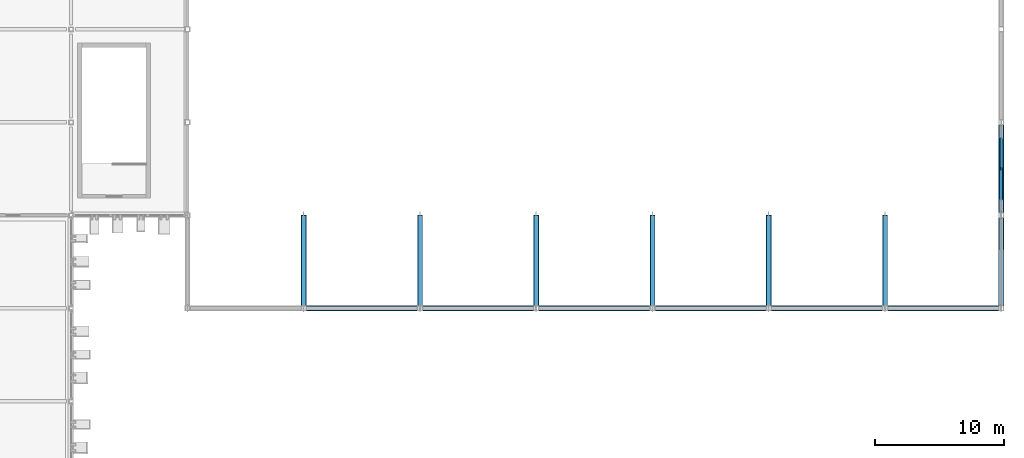
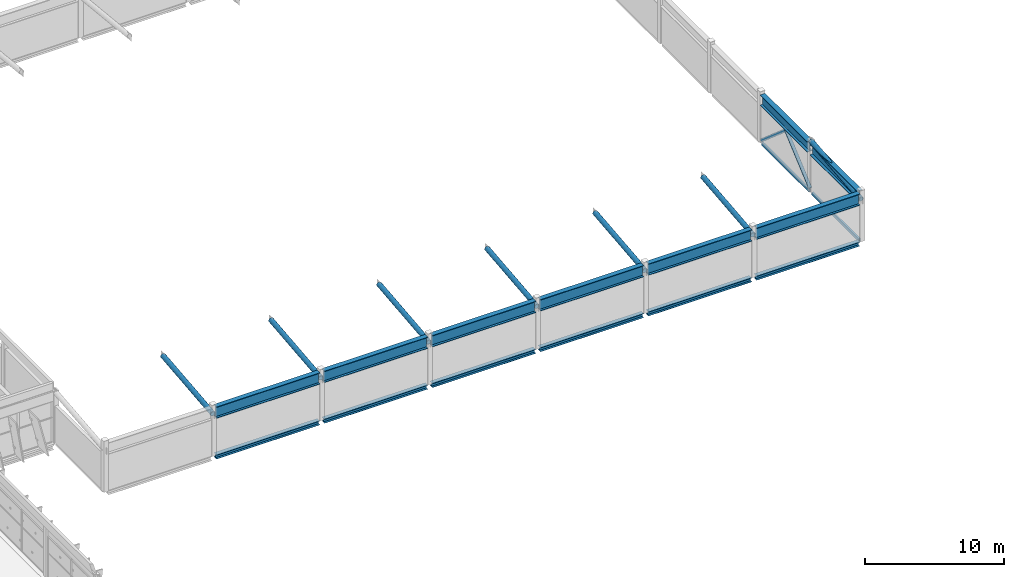
# One storey, part 60 of 124: 16 beams, 9 members.
"""IFC4 building model written with IfcOpenShell, lengths in metres."""

from ifc_helpers import new_model, si_unit, direction, frame, origin, origin_2d, place, context, subcontext, project, spatial, hollow_rectangle, hollow_circle, i_section, extrude, material, material_profile, profile_set, type_object, element, save


model = new_model("IFC4")

# Units and contexts
model_context = context("Model", 3, precision=1e-05, world=origin(), true_north=direction((0.0, 1.0)))
body_context = subcontext(model_context, "Body", "Model", "MODEL_VIEW")
ifc_project = project(units=[si_unit("LENGTHUNIT", "METRE"), si_unit("AREAUNIT", "SQUARE_METRE"), si_unit("VOLUMEUNIT", "CUBIC_METRE"), si_unit("PLANEANGLEUNIT", "RADIAN"), si_unit("MASSUNIT", "GRAM", prefix="KILO")], contexts=[model_context])

# Site, building, storey
site_placement = place(None, origin())
site = spatial("IfcSite", under=ifc_project, at=site_placement, CompositionType="ELEMENT")
building_placement = place(site_placement, origin())
building = spatial("IfcBuilding", under=site, at=building_placement, Name="Celestram Park Convention Centre", CompositionType="ELEMENT")
storey_placement = place(building_placement, frame((0.0, 0.0, 15.300048828125)))
storey = spatial("IfcBuildingStorey", under=building, at=storey_placement, Name="L03", CompositionType="ELEMENT", Elevation=15.300048828125)

# Beams
ifc_material_1 = material(Name="Steel ASTM A992 Grade 50", Category="steel")
ifc_material_profile_1 = material_profile(ifc_material_1, i_section(OverallWidth=0.424072265625, OverallDepth=0.931884765625, WebThickness=0.02392578125, FlangeThickness=0.042724609375, at=origin_2d()), Name="W36X302")
ifc_profile_set_1 = profile_set([ifc_material_profile_1], Name="Steel ASTM A992 Grade 50")
beam_type_1 = type_object("IfcBeamType", Name="STR-BM-W36X302", PredefinedType="BEAM", material=ifc_profile_set_1)
beam_1_placement = place(storey_placement, frame((216.0, 115.39794921875, 3.783935546875), z_axis=(0.0, 1.0, 0.0), x_axis=(-1.0, 0.0, 0.0)))
element("IfcBeam", 1, at=beam_1_placement, inside=storey, type_object=beam_type_1, Name="Plenary gable tie girder BG-L03-0280", PredefinedType="BEAM", context=body_context, shape_type="SweptSolid", body=[
    extrude(i_section(OverallWidth=0.424072265625, OverallDepth=0.931884765625, WebThickness=0.02392578125, FlangeThickness=0.042724609375, at=origin_2d()), origin(), (0.0, 0.0, 1.0), 6.803955078125),
])
beam_2_placement = place(storey_placement, frame((216.0, 122.597900390625, 3.783935546875), z_axis=(0.0, 1.0, 0.0), x_axis=(-1.0, 0.0, 0.0)))
element("IfcBeam", 2, at=beam_2_placement, inside=storey, type_object=beam_type_1, Name="Plenary gable tie girder BG-L03-0281", PredefinedType="BEAM", context=body_context, shape_type="SweptSolid", body=[
    extrude(i_section(OverallWidth=0.424072265625, OverallDepth=0.931884765625, WebThickness=0.02392578125, FlangeThickness=0.042724609375, at=origin_2d()), origin(), (0.0, 0.0, 1.0), 6.80419921875),
])
ifc_material_profile_2 = material_profile(ifc_material_1, i_section(OverallWidth=0.40087890625, OverallDepth=1.010986328125, WebThickness=0.023681640625, FlangeThickness=0.0419921875, at=origin_2d()), Name="W40X297")
ifc_profile_set_2 = profile_set([ifc_material_profile_2], Name="Steel ASTM A992 Grade 50")
beam_type_2 = type_object("IfcBeamType", Name="STR-BM-W40X297", PredefinedType="BEAM", material=ifc_profile_set_2)
for number, where, z_axis, x_axis, name in (
    (3, (162.197998046875, 115.199951171875, 3.744384765625), (1.0, 0.0, 0.0), (0.0, 1.0, 0.0), "Plenary eaves tie girder BG-L03-0267"),
    (4, (171.197998046875, 115.199951171875, 3.744384765625), (1.0, 0.0, 0.0), (0.0, 1.0, 0.0), "Plenary eaves tie girder BG-L03-0268"),
    (5, (180.197998046875, 115.199951171875, 3.744384765625), (1.0, 0.0, 0.0), (0.0, 1.0, 0.0), "Plenary eaves tie girder BG-L03-0269"),
    (6, (189.197998046875, 115.199951171875, 3.744384765625), (1.0, 0.0, 0.0), (0.0, 1.0, 0.0), "Plenary eaves tie girder BG-L03-0270"),
    (7, (198.197998046875, 115.199951171875, 3.744384765625), (1.0, 0.0, 0.0), (0.0, 1.0, 0.0), "Plenary eaves tie girder BG-L03-0271"),
    (8, (207.197998046875, 115.199951171875, 3.744384765625), (1.0, 0.0, 0.0), (0.0, 1.0, 0.0), "Plenary eaves tie girder BG-L03-0272"),
):
    element("IfcBeam", number, at=place(storey_placement, frame(where, z_axis=z_axis, x_axis=x_axis)), inside=storey, type_object=beam_type_2, Name=name, PredefinedType="BEAM", context=body_context, shape_type="SweptSolid", body=[
        extrude(i_section(OverallWidth=0.40087890625, OverallDepth=1.010986328125, WebThickness=0.023681640625, FlangeThickness=0.0419921875, at=origin_2d()), origin(), (0.0, 0.0, 1.0), 8.60400390625),
    ])

# Members
ifc_material_2 = material(Name="Steel ASTM A500 Grade C", Category="steel")
ifc_material_profile_3 = material_profile(ifc_material_2, hollow_circle(Radius=0.136474609375, WallThickness=0.010009765625, at=origin_2d()), Name="CHS273X10")
ifc_profile_set_3 = profile_set([ifc_material_profile_3], Name="Steel ASTM A500 Grade C")
member_type_1 = type_object("IfcMemberType", Name="STR-BRC-CHS273", PredefinedType="BRACE", material=ifc_profile_set_3)
for number, where, z_axis, x_axis, name in (
    (9, (216.0, 122.52001953125, 0.14990234375), (0.0, 0.757408149301, 0.652941724331), (-1.0, 0.0, 0.0), "Chevron braced-frame diagonal BF-L03-015"),
    (10, (216.0, 129.47998046875, 0.14990234375), (0.0, -0.757408149301, 0.652941724331), (1.0, 0.0, 0.0), "Chevron braced-frame diagonal BF-L03-016"),
):
    element("IfcMember", number, at=place(storey_placement, frame(where, z_axis=z_axis, x_axis=x_axis)), inside=storey, type_object=member_type_1, Name=name, PredefinedType="BRACE", context=body_context, shape_type="SweptSolid", body=[
        extrude(hollow_circle(Radius=0.136474609375, WallThickness=0.010009765625, at=origin_2d()), origin(), (0.0, 0.0, 1.0), 4.594482421875),
    ])
ifc_material_profile_4 = material_profile(ifc_material_2, hollow_circle(Radius=0.202880859375, WallThickness=0.013916015625, at=origin_2d()), Name="CHS406X14")
ifc_profile_set_4 = profile_set([ifc_material_profile_4], Name="Steel ASTM A500 Grade C")
member_type_2 = type_object("IfcMemberType", Name="STR-CHD-CHS406", PredefinedType="CHORD", material=ifc_profile_set_4)
for number, where, z_axis, x_axis, name in (
    (11, (162.0, 115.199951171875, 3.614013671875), (0.0, 0.994691079549, 0.102906055532), (-1.0, 0.0, 0.0), "V2 arch bottom chord"),
    (12, (171.0, 115.199951171875, 3.614013671875), (0.0, 0.994691079549, 0.102906055532), (-1.0, 0.0, 0.0), "V2 arch bottom chord"),
    (13, (180.0, 115.199951171875, 3.614013671875), (0.0, 0.994691079549, 0.102906055532), (-1.0, 0.0, 0.0), "V2 arch bottom chord"),
    (14, (189.0, 115.199951171875, 3.614013671875), (0.0, 0.994691079549, 0.102906055532), (-1.0, 0.0, 0.0), "V2 arch bottom chord"),
    (15, (198.0, 115.199951171875, 3.614013671875), (0.0, 0.994691079549, 0.102906055532), (-1.0, 0.0, 0.0), "V2 arch bottom chord"),
    (16, (207.0, 115.199951171875, 3.614013671875), (0.0, 0.994691079549, 0.102906055532), (-1.0, 0.0, 0.0), "V2 arch bottom chord"),
    (17, (216.0, 115.199951171875, 3.614013671875), (0.0, 0.994691079549, 0.102906055532), (-1.0, 0.0, 0.0), "V2 arch bottom chord"),
):
    element("IfcMember", number, at=place(storey_placement, frame(where, z_axis=z_axis, x_axis=x_axis)), inside=storey, type_object=member_type_2, Name=name, PredefinedType="CHORD", context=body_context, shape_type="SweptSolid", body=[
        extrude(hollow_circle(Radius=0.202880859375, WallThickness=0.013916015625, at=origin_2d()), origin(), (0.0, 0.0, 1.0), 7.23828125),
    ])

# Beams
ifc_material_profile_5 = material_profile(ifc_material_2, hollow_rectangle(XDim=0.14990234375, YDim=0.25, WallThickness=0.010009765625, at=origin_2d()), Name="HSS250X150X10")
ifc_profile_set_5 = profile_set([ifc_material_profile_5], Name="Steel ASTM A500 Grade C")
beam_type_3 = type_object("IfcBeamType", Name="STR-SPN-HSS250X150", PredefinedType="SPANDREL", material=ifc_profile_set_5)
beam_3_placement = place(storey_placement, frame((216.0, 115.39794921875, -0.125), z_axis=(0.0, 1.0, 0.0), x_axis=(-1.0, 0.0, 0.0)))
element("IfcBeam", 18, at=beam_3_placement, inside=storey, type_object=beam_type_3, Name="High-bay perimeter spandrel SPB-L03-059", PredefinedType="SPANDREL", context=body_context, shape_type="SweptSolid", body=[
    extrude(hollow_rectangle(XDim=0.14990234375, YDim=0.25, WallThickness=0.010009765625, at=origin_2d()), origin(), (0.0, 0.0, 1.0), 6.803955078125),
])
beam_4_placement = place(storey_placement, frame((216.0, 122.597900390625, -0.125), z_axis=(0.0, 1.0, 0.0), x_axis=(-1.0, 0.0, 0.0)))
element("IfcBeam", 19, at=beam_4_placement, inside=storey, type_object=beam_type_3, Name="High-bay perimeter spandrel SPB-L03-060", PredefinedType="SPANDREL", context=body_context, shape_type="SweptSolid", body=[
    extrude(hollow_rectangle(XDim=0.14990234375, YDim=0.25, WallThickness=0.010009765625, at=origin_2d()), origin(), (0.0, 0.0, 1.0), 6.80419921875),
])
ifc_material_profile_6 = material_profile(ifc_material_1, i_section(OverallWidth=0.367919921875, OverallDepth=0.35595703125, WebThickness=0.01123046875, FlangeThickness=0.01806640625, at=origin_2d()), Name="W14X90")
ifc_profile_set_6 = profile_set([ifc_material_profile_6], Name="Steel ASTM A992 Grade 50")
beam_type_4 = type_object("IfcBeamType", Name="STR-SPN-W14X90", PredefinedType="SPANDREL", material=ifc_profile_set_6)
for number, where, z_axis, x_axis, name in (
    (20, (162.197998046875, 115.199951171875, -0.177978515625), (1.0, 0.0, 0.0), (0.0, 1.0, 0.0), "High-bay perimeter spandrel SPB-L03-046"),
    (21, (171.197998046875, 115.199951171875, -0.177978515625), (1.0, 0.0, 0.0), (0.0, 1.0, 0.0), "High-bay perimeter spandrel SPB-L03-047"),
    (22, (180.197998046875, 115.199951171875, -0.177978515625), (1.0, 0.0, 0.0), (0.0, 1.0, 0.0), "High-bay perimeter spandrel SPB-L03-048"),
    (23, (189.197998046875, 115.199951171875, -0.177978515625), (1.0, 0.0, 0.0), (0.0, 1.0, 0.0), "High-bay perimeter spandrel SPB-L03-049"),
    (24, (198.197998046875, 115.199951171875, -0.177978515625), (1.0, 0.0, 0.0), (0.0, 1.0, 0.0), "High-bay perimeter spandrel SPB-L03-050"),
    (25, (207.197998046875, 115.199951171875, -0.177978515625), (1.0, 0.0, 0.0), (0.0, 1.0, 0.0), "High-bay perimeter spandrel SPB-L03-051"),
):
    element("IfcBeam", number, at=place(storey_placement, frame(where, z_axis=z_axis, x_axis=x_axis)), inside=storey, type_object=beam_type_4, Name=name, PredefinedType="SPANDREL", context=body_context, shape_type="SweptSolid", body=[
        extrude(i_section(OverallWidth=0.367919921875, OverallDepth=0.35595703125, WebThickness=0.01123046875, FlangeThickness=0.01806640625, at=origin_2d()), origin(), (0.0, 0.0, 1.0), 8.60400390625),
    ])

save(model, "model.ifc")
